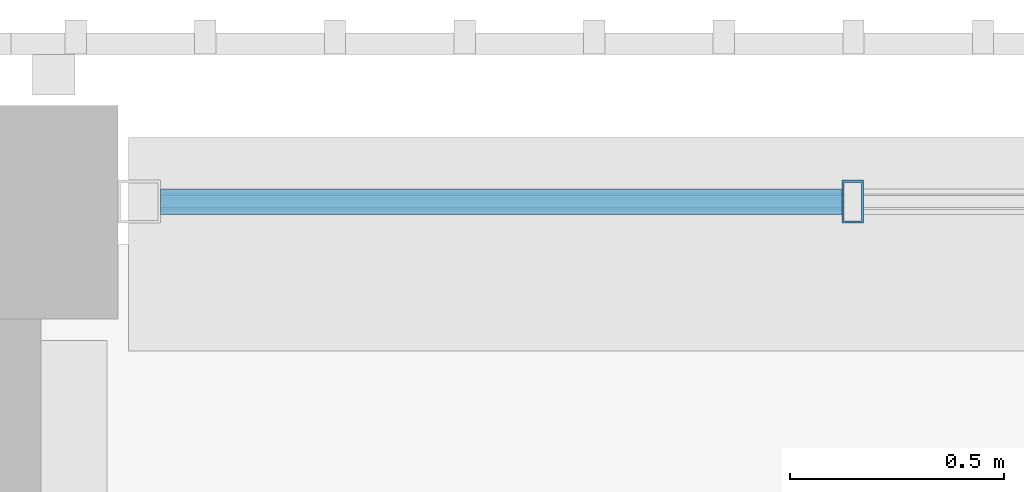
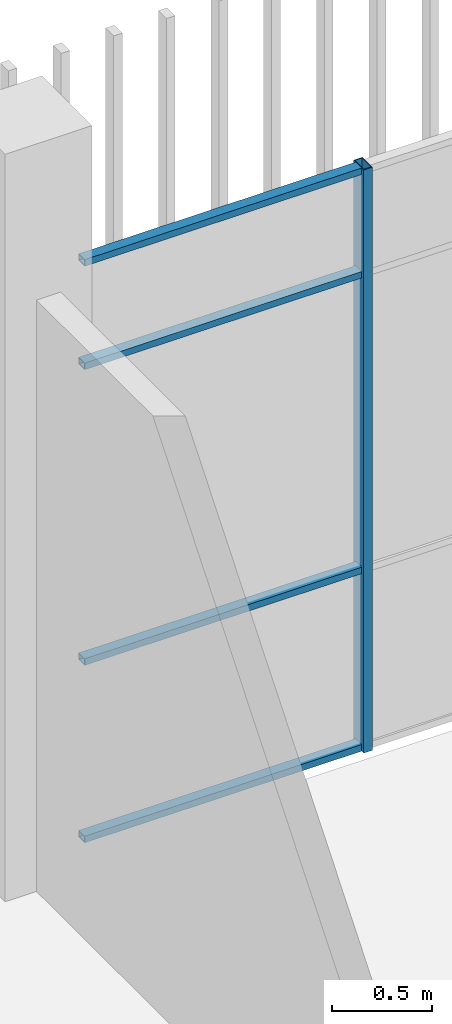
# One storey, part 39 of 139: 5 members, 1 element without a shape of its own.
"""IFC4 building model written with IfcOpenShell, lengths in metres."""

from ifc_helpers import new_model, si_unit, direction, frame, origin, origin_2d, place, context, subcontext, project, spatial, hollow_rectangle, extrude, material, layer, layer_set, material_profile, profile_set, type_object, element, aggregate, save


model = new_model("IFC4")

# Units and contexts
model_context = context("Model", 3, precision=1e-05, world=origin(), true_north=direction((0.0, 1.0)))
body_context = subcontext(model_context, "Body", "Model", "MODEL_VIEW")
ifc_project = project(units=[si_unit("LENGTHUNIT", "METRE"), si_unit("AREAUNIT", "SQUARE_METRE"), si_unit("VOLUMEUNIT", "CUBIC_METRE"), si_unit("PLANEANGLEUNIT", "RADIAN"), si_unit("MASSUNIT", "GRAM", prefix="KILO")], contexts=[model_context])

# Site, building, storey
site_placement = place(None, origin())
site = spatial("IfcSite", under=ifc_project, at=site_placement, CompositionType="ELEMENT")
building_placement = place(site_placement, origin())
building = spatial("IfcBuilding", under=site, at=building_placement, Name="Shirokan Park Arena", CompositionType="ELEMENT")
storey_placement = place(building_placement, frame((0.0, 0.0, 15.469970703125)))
storey = spatial("IfcBuildingStorey", under=building, at=storey_placement, Name="L03", CompositionType="ELEMENT", Elevation=15.469970703125)

# Curtain wall, members
ifc_material_1 = material(Name="Steel and glass curtain wall", Category="steel")
ifc_layer = layer(ifc_material_1, 0.10009765625)
ifc_layer_set = layer_set([ifc_layer], Name="Steel and glass curtain wall 100 mm")
curtain_wall_type = type_object("IfcCurtainWallType", Name="Curtain wall sheltered bay 100", PredefinedType="NOTDEFINED", material=ifc_layer_set)
curtain_wall_placement = place(storey_placement, origin())
curtain_wall = element("IfcCurtainWall", 1, at=curtain_wall_placement, inside=storey, type_object=curtain_wall_type, Name="Curtain wall north bay 11 L03", PredefinedType="NOTDEFINED")
ifc_material_2 = material(Name="Steel S355", Category="steel")
ifc_material_profile_1 = material_profile(ifc_material_2, hollow_rectangle(XDim=0.10009765625, YDim=0.050048828125, WallThickness=0.0048828125, at=origin_2d()), Name="RHS 100x50x5")
ifc_profile_set_1 = profile_set([ifc_material_profile_1], Name="Steel S355")
member_type_1 = type_object("IfcMemberType", Name="Mullion RHS 100x50x5", PredefinedType="MULLION", material=ifc_profile_set_1)
member_1_placement = place(storey_placement, frame((47.469970703125, 109.300048828125, 0.0), z_axis=(0.0, 0.0, 1.0), x_axis=(0.0, -1.0, 0.0)))
member_1 = element("IfcMember", 2, at=member_1_placement, type_object=member_type_1, Name="CW2 mullion 5", PredefinedType="MULLION", context=body_context, shape_type="SweptSolid", body=[
    extrude(hollow_rectangle(XDim=0.10009765625, YDim=0.050048828125, WallThickness=0.0048828125, at=origin_2d()), origin(), (0.0, 0.0, 1.0), 3.550048828125),
])
ifc_material_profile_2 = material_profile(ifc_material_2, hollow_rectangle(XDim=0.06005859375, YDim=0.0400390625, WallThickness=0.00390625, at=origin_2d()), Name="RHS 60x40x4")
ifc_profile_set_2 = profile_set([ifc_material_profile_2], Name="Steel S355")
member_type_2 = type_object("IfcMemberType", Name="Transom RHS 60x40x4", PredefinedType="MULLION", material=ifc_profile_set_2)
member_2_placement = place(storey_placement, frame((47.445068359375, 109.300048828125, 0.02001953125), z_axis=(-1.0, 0.0, 0.0), x_axis=(0.0, -1.0, 0.0)))
member_2 = element("IfcMember", 3, at=member_2_placement, type_object=member_type_2, Name="CW2 transom 5.1", PredefinedType="MULLION", context=body_context, shape_type="SweptSolid", body=[
    extrude(hollow_rectangle(XDim=0.06005859375, YDim=0.0400390625, WallThickness=0.00390625, at=origin_2d()), origin(), (0.0, 0.0, 1.0), 1.594970703125),
])
member_3_placement = place(storey_placement, frame((47.445068359375, 109.300048828125, 1.10009765625), z_axis=(-1.0, 0.0, 0.0), x_axis=(0.0, -1.0, 0.0)))
member_3 = element("IfcMember", 4, at=member_3_placement, type_object=member_type_2, Name="CW2 transom 5.2", PredefinedType="MULLION", context=body_context, shape_type="SweptSolid", body=[
    extrude(hollow_rectangle(XDim=0.06005859375, YDim=0.0400390625, WallThickness=0.00390625, at=origin_2d()), origin(), (0.0, 0.0, 1.0), 1.594970703125),
])
member_4_placement = place(storey_placement, frame((47.445068359375, 109.300048828125, 2.900146484375), z_axis=(-1.0, 0.0, 0.0), x_axis=(0.0, -1.0, 0.0)))
member_4 = element("IfcMember", 5, at=member_4_placement, type_object=member_type_2, Name="CW2 transom 5.3", PredefinedType="MULLION", context=body_context, shape_type="SweptSolid", body=[
    extrude(hollow_rectangle(XDim=0.06005859375, YDim=0.0400390625, WallThickness=0.00390625, at=origin_2d()), origin(), (0.0, 0.0, 1.0), 1.594970703125),
])
member_5_placement = place(storey_placement, frame((47.445068359375, 109.300048828125, 3.530029296875), z_axis=(-1.0, 0.0, 0.0), x_axis=(0.0, -1.0, 0.0)))
member_5 = element("IfcMember", 6, at=member_5_placement, type_object=member_type_2, Name="CW2 transom 5.4", PredefinedType="MULLION", context=body_context, shape_type="SweptSolid", body=[
    extrude(hollow_rectangle(XDim=0.06005859375, YDim=0.0400390625, WallThickness=0.00390625, at=origin_2d()), origin(), (0.0, 0.0, 1.0), 1.594970703125),
])
aggregate(curtain_wall, [member_1, member_2, member_3, member_4, member_5])

save(model, "model.ifc")
